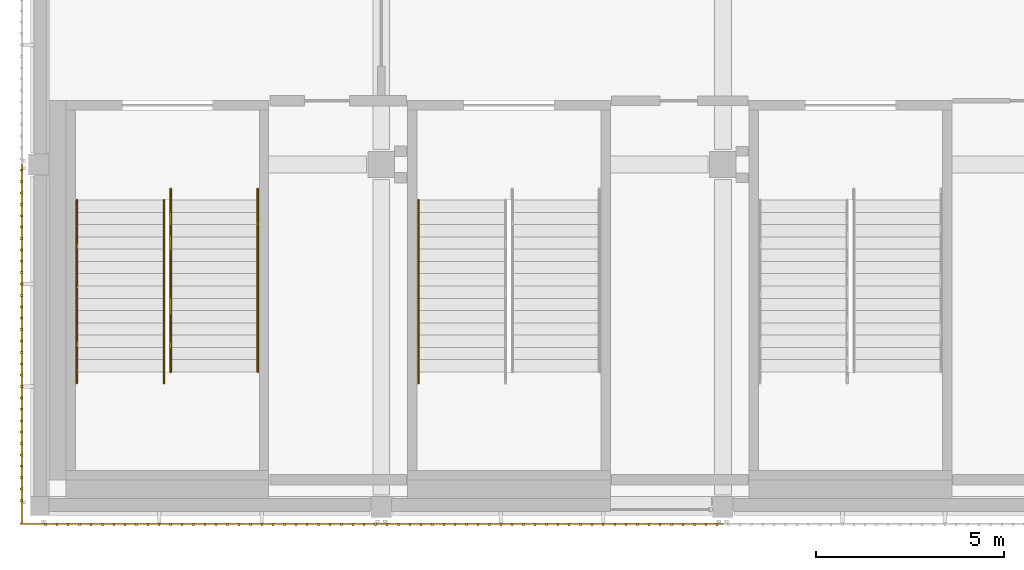
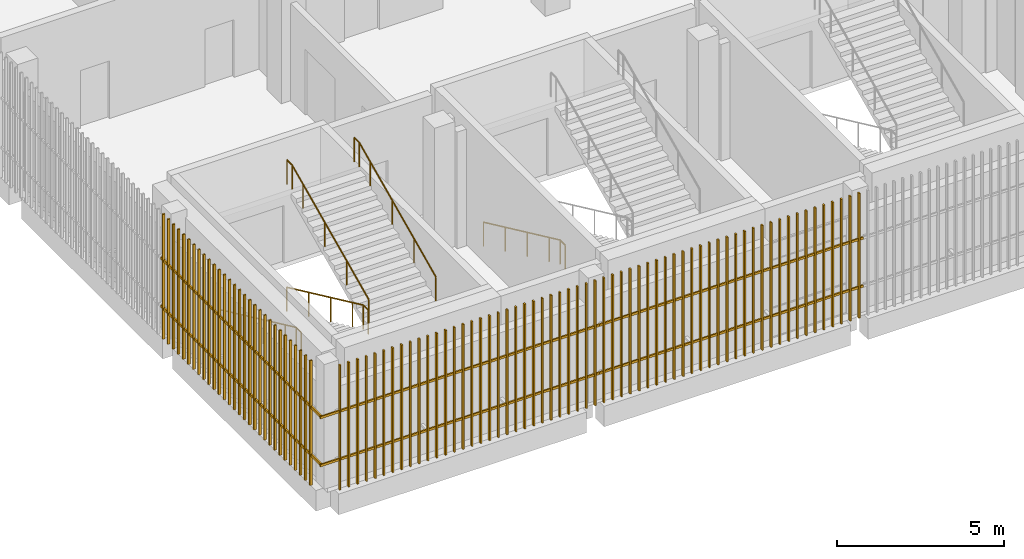
# One storey, part 107 of 126: 5 railings, 3 shading devices.
"""IFC4 building model written with IfcOpenShell, lengths in metres."""

from ifc_helpers import new_model, si_unit, direction, frame, origin, origin_2d, place, context, subcontext, project, spatial, rectangle, circle, extrude, material, type_object, element, save


model = new_model("IFC4")

# Units and contexts
model_context = context("Model", 3, precision=1e-05, world=origin(), true_north=direction((0.0, 1.0)))
body_context = subcontext(model_context, "Body", "Model", "MODEL_VIEW")
ifc_project = project(units=[si_unit("LENGTHUNIT", "METRE"), si_unit("AREAUNIT", "SQUARE_METRE"), si_unit("VOLUMEUNIT", "CUBIC_METRE"), si_unit("PLANEANGLEUNIT", "RADIAN"), si_unit("MASSUNIT", "GRAM", prefix="KILO")], contexts=[model_context])

# Site, building, storey
site_placement = place(None, origin())
site = spatial("IfcSite", under=ifc_project, at=site_placement, CompositionType="ELEMENT")
building_placement = place(site_placement, origin())
building = spatial("IfcBuilding", under=site, at=building_placement, Name="Shirokan Park Arena", CompositionType="ELEMENT")
storey_placement = place(building_placement, frame((0.0, 0.0, 6.3701171875)))
storey = spatial("IfcBuildingStorey", under=building, at=storey_placement, Name="L01", CompositionType="ELEMENT", Elevation=6.3701171875)

# Railings
ifc_material_1 = material(Name="Stainless steel", Category="steel")
railing_type = type_object("IfcRailingType", Name="Stair handrail 900", PredefinedType="HANDRAIL", material=ifc_material_1)
railing_1_placement = place(storey_placement, frame((0.989990234375, 8.14990234375, 0.151611328125)))
element("IfcRailing", 1, at=railing_1_placement, inside=storey, type_object=railing_type, Name="Handrail Exit Stair 1.A L01 to L02", PredefinedType="HANDRAIL", context=body_context, shape_type="SweptSolid", body=[
    extrude(circle(Radius=0.02392578125, at=origin_2d()), frame((0.0, 0.0, 0.8759765625), z_axis=(0.0, -0.906999720516, 0.421131222998), x_axis=(1.0, 0.0, 0.0)), (0.0, 0.0, 1.0), 1.440673828125),
    extrude(circle(Radius=0.02392578125, at=origin_2d()), frame((0.0, -1.306640625, 1.482421875), z_axis=(0.0, -0.907029769225, 0.421066500378), x_axis=(1.0, 0.0, 0.0)), (0.0, 0.0, 1.0), 1.44091796875),
    extrude(circle(Radius=0.02392578125, at=origin_2d()), frame((0.0, -2.613525390625, 2.08935546875), z_axis=(0.0, -0.907094476872, 0.420927083981), x_axis=(1.0, 0.0, 0.0)), (0.0, 0.0, 1.0), 1.440673828125),
    extrude(circle(Radius=0.02392578125, at=origin_2d()), frame((0.0, -3.92041015625, 2.69580078125), z_axis=(0.0, -0.906934982928, 0.421270621741), x_axis=(1.0, 0.0, 0.0)), (0.0, 0.0, 1.0), 0.720458984375),
    extrude(circle(Radius=0.02392578125, at=origin_2d()), frame((0.0, -4.57373046875, 2.9990234375), z_axis=(0.0, -1.0, 0.0), x_axis=(1.0, 0.0, 0.0)), (0.0, 0.0, 1.0), 0.300048828125),
    extrude(circle(Radius=0.02099609375, at=origin_2d()), origin(), (0.0, 0.0, 1.0), 0.851806640625),
    extrude(circle(Radius=0.02099609375, at=origin_2d()), frame((0.0, -1.306640625, 0.606689453125)), (0.0, 0.0, 1.0), 0.851806640625),
    extrude(circle(Radius=0.02099609375, at=origin_2d()), frame((0.0, -2.613525390625, 1.21337890625)), (0.0, 0.0, 1.0), 0.851806640625),
    extrude(circle(Radius=0.02099609375, at=origin_2d()), frame((0.0, -3.92041015625, 1.81982421875)), (0.0, 0.0, 1.0), 0.851806640625),
    extrude(circle(Radius=0.02099609375, at=origin_2d()), frame((0.0, -4.57373046875, 2.123291015625)), (0.0, 0.0, 1.0), 0.851806640625),
    extrude(circle(Radius=0.02099609375, at=origin_2d()), frame((0.0, -4.873779296875, 2.123291015625)), (0.0, 0.0, 1.0), 0.851806640625),
])
railing_2_placement = place(storey_placement, frame((3.31005859375, 8.14990234375, 0.151611328125)))
element("IfcRailing", 2, at=railing_2_placement, inside=storey, type_object=railing_type, Name="Handrail Exit Stair 1.A L01 to L02", PredefinedType="HANDRAIL", context=body_context, shape_type="SweptSolid", body=[
    extrude(circle(Radius=0.02392578125, at=origin_2d()), frame((0.0, 0.0, 0.8759765625), z_axis=(0.0, -0.906999720516, 0.421131222998), x_axis=(1.0, 0.0, 0.0)), (0.0, 0.0, 1.0), 1.440673828125),
    extrude(circle(Radius=0.02392578125, at=origin_2d()), frame((0.0, -1.306640625, 1.482421875), z_axis=(0.0, -0.907029769225, 0.421066500378), x_axis=(1.0, 0.0, 0.0)), (0.0, 0.0, 1.0), 1.44091796875),
    extrude(circle(Radius=0.02392578125, at=origin_2d()), frame((0.0, -2.613525390625, 2.08935546875), z_axis=(0.0, -0.907094476872, 0.420927083981), x_axis=(1.0, 0.0, 0.0)), (0.0, 0.0, 1.0), 1.440673828125),
    extrude(circle(Radius=0.02392578125, at=origin_2d()), frame((0.0, -3.92041015625, 2.69580078125), z_axis=(0.0, -0.906934982928, 0.421270621741), x_axis=(1.0, 0.0, 0.0)), (0.0, 0.0, 1.0), 0.720458984375),
    extrude(circle(Radius=0.02392578125, at=origin_2d()), frame((0.0, -4.57373046875, 2.9990234375), z_axis=(0.0, -1.0, 0.0), x_axis=(1.0, 0.0, 0.0)), (0.0, 0.0, 1.0), 0.300048828125),
    extrude(circle(Radius=0.02099609375, at=origin_2d()), origin(), (0.0, 0.0, 1.0), 0.851806640625),
    extrude(circle(Radius=0.02099609375, at=origin_2d()), frame((0.0, -1.306640625, 0.606689453125)), (0.0, 0.0, 1.0), 0.851806640625),
    extrude(circle(Radius=0.02099609375, at=origin_2d()), frame((0.0, -2.613525390625, 1.21337890625)), (0.0, 0.0, 1.0), 0.851806640625),
    extrude(circle(Radius=0.02099609375, at=origin_2d()), frame((0.0, -3.92041015625, 1.81982421875)), (0.0, 0.0, 1.0), 0.851806640625),
    extrude(circle(Radius=0.02099609375, at=origin_2d()), frame((0.0, -4.57373046875, 2.123291015625)), (0.0, 0.0, 1.0), 0.851806640625),
    extrude(circle(Radius=0.02099609375, at=origin_2d()), frame((0.0, -4.873779296875, 2.123291015625)), (0.0, 0.0, 1.0), 0.851806640625),
])
railing_3_placement = place(storey_placement, frame((3.489990234375, 3.576171875, 2.426513671875)))
element("IfcRailing", 3, at=railing_3_placement, inside=storey, type_object=railing_type, Name="Handrail Exit Stair 1.A L01 to L02", PredefinedType="HANDRAIL", context=body_context, shape_type="SweptSolid", body=[
    extrude(circle(Radius=0.02392578125, at=origin_2d()), frame((0.0, 0.0, 0.8759765625), z_axis=(0.0, 0.907029769225, 0.421066500378), x_axis=(-1.0, 0.0, 0.0)), (0.0, 0.0, 1.0), 1.44091796875),
    extrude(circle(Radius=0.02392578125, at=origin_2d()), frame((0.0, 1.306884765625, 1.482421875), z_axis=(0.0, 0.906999720516, 0.421131222998), x_axis=(-1.0, 0.0, 0.0)), (0.0, 0.0, 1.0), 1.440673828125),
    extrude(circle(Radius=0.02392578125, at=origin_2d()), frame((0.0, 2.613525390625, 2.08935546875), z_axis=(0.0, 0.907029769225, 0.421066500378), x_axis=(-1.0, 0.0, 0.0)), (0.0, 0.0, 1.0), 1.44091796875),
    extrude(circle(Radius=0.02392578125, at=origin_2d()), frame((0.0, 3.92041015625, 2.69580078125), z_axis=(0.0, 0.907064445915, 0.420991794405), x_axis=(-1.0, 0.0, 0.0)), (0.0, 0.0, 1.0), 0.72021484375),
    extrude(circle(Radius=0.02392578125, at=origin_2d()), frame((0.0, 4.57373046875, 2.9990234375), z_axis=(0.0, 1.0, 0.0), x_axis=(-1.0, 0.0, 0.0)), (0.0, 0.0, 1.0), 0.300048828125),
    extrude(circle(Radius=0.02099609375, at=origin_2d()), origin(), (0.0, 0.0, 1.0), 0.851806640625),
    extrude(circle(Radius=0.02099609375, at=origin_2d()), frame((0.0, 1.306884765625, 0.606689453125)), (0.0, 0.0, 1.0), 0.851806640625),
    extrude(circle(Radius=0.02099609375, at=origin_2d()), frame((0.0, 2.613525390625, 1.21337890625)), (0.0, 0.0, 1.0), 0.851806640625),
    extrude(circle(Radius=0.02099609375, at=origin_2d()), frame((0.0, 3.92041015625, 1.820068359375)), (0.0, 0.0, 1.0), 0.851806640625),
    extrude(circle(Radius=0.02099609375, at=origin_2d()), frame((0.0, 4.57373046875, 2.123291015625)), (0.0, 0.0, 1.0), 0.851806640625),
    extrude(circle(Radius=0.02099609375, at=origin_2d()), frame((0.0, 4.873779296875, 2.123291015625)), (0.0, 0.0, 1.0), 0.851806640625),
])
railing_4_placement = place(storey_placement, frame((5.81005859375, 3.576171875, 2.426513671875)))
element("IfcRailing", 4, at=railing_4_placement, inside=storey, type_object=railing_type, Name="Handrail Exit Stair 1.A L01 to L02", PredefinedType="HANDRAIL", context=body_context, shape_type="SweptSolid", body=[
    extrude(circle(Radius=0.02392578125, at=origin_2d()), frame((0.0, 0.0, 0.8759765625), z_axis=(0.0, 0.907029769225, 0.421066500378), x_axis=(-1.0, 0.0, 0.0)), (0.0, 0.0, 1.0), 1.44091796875),
    extrude(circle(Radius=0.02392578125, at=origin_2d()), frame((0.0, 1.306884765625, 1.482421875), z_axis=(0.0, 0.906999720516, 0.421131222998), x_axis=(-1.0, 0.0, 0.0)), (0.0, 0.0, 1.0), 1.440673828125),
    extrude(circle(Radius=0.02392578125, at=origin_2d()), frame((0.0, 2.613525390625, 2.08935546875), z_axis=(0.0, 0.907029769225, 0.421066500378), x_axis=(-1.0, 0.0, 0.0)), (0.0, 0.0, 1.0), 1.44091796875),
    extrude(circle(Radius=0.02392578125, at=origin_2d()), frame((0.0, 3.92041015625, 2.69580078125), z_axis=(0.0, 0.907064445915, 0.420991794405), x_axis=(-1.0, 0.0, 0.0)), (0.0, 0.0, 1.0), 0.72021484375),
    extrude(circle(Radius=0.02392578125, at=origin_2d()), frame((0.0, 4.57373046875, 2.9990234375), z_axis=(0.0, 1.0, 0.0), x_axis=(-1.0, 0.0, 0.0)), (0.0, 0.0, 1.0), 0.300048828125),
    extrude(circle(Radius=0.02099609375, at=origin_2d()), origin(), (0.0, 0.0, 1.0), 0.851806640625),
    extrude(circle(Radius=0.02099609375, at=origin_2d()), frame((0.0, 1.306884765625, 0.606689453125)), (0.0, 0.0, 1.0), 0.851806640625),
    extrude(circle(Radius=0.02099609375, at=origin_2d()), frame((0.0, 2.613525390625, 1.21337890625)), (0.0, 0.0, 1.0), 0.851806640625),
    extrude(circle(Radius=0.02099609375, at=origin_2d()), frame((0.0, 3.92041015625, 1.820068359375)), (0.0, 0.0, 1.0), 0.851806640625),
    extrude(circle(Radius=0.02099609375, at=origin_2d()), frame((0.0, 4.57373046875, 2.123291015625)), (0.0, 0.0, 1.0), 0.851806640625),
    extrude(circle(Radius=0.02099609375, at=origin_2d()), frame((0.0, 4.873779296875, 2.123291015625)), (0.0, 0.0, 1.0), 0.851806640625),
])
railing_5_placement = place(storey_placement, frame((10.090087890625, 8.14990234375, 0.151611328125)))
element("IfcRailing", 5, at=railing_5_placement, inside=storey, type_object=railing_type, Name="Handrail Exit Stair 1.B L01 to L02", PredefinedType="HANDRAIL", context=body_context, shape_type="SweptSolid", body=[
    extrude(circle(Radius=0.02392578125, at=origin_2d()), frame((0.0, 0.0, 0.8759765625), z_axis=(0.0, -0.906999720516, 0.421131222998), x_axis=(1.0, 0.0, 0.0)), (0.0, 0.0, 1.0), 1.440673828125),
    extrude(circle(Radius=0.02392578125, at=origin_2d()), frame((0.0, -1.306640625, 1.482421875), z_axis=(0.0, -0.907029769225, 0.421066500378), x_axis=(1.0, 0.0, 0.0)), (0.0, 0.0, 1.0), 1.44091796875),
    extrude(circle(Radius=0.02392578125, at=origin_2d()), frame((0.0, -2.613525390625, 2.08935546875), z_axis=(0.0, -0.907094476872, 0.420927083981), x_axis=(1.0, 0.0, 0.0)), (0.0, 0.0, 1.0), 1.440673828125),
    extrude(circle(Radius=0.02392578125, at=origin_2d()), frame((0.0, -3.92041015625, 2.69580078125), z_axis=(0.0, -0.906934982928, 0.421270621741), x_axis=(1.0, 0.0, 0.0)), (0.0, 0.0, 1.0), 0.720458984375),
    extrude(circle(Radius=0.02392578125, at=origin_2d()), frame((0.0, -4.57373046875, 2.9990234375), z_axis=(0.0, -1.0, 0.0), x_axis=(1.0, 0.0, 0.0)), (0.0, 0.0, 1.0), 0.300048828125),
    extrude(circle(Radius=0.02099609375, at=origin_2d()), origin(), (0.0, 0.0, 1.0), 0.851806640625),
    extrude(circle(Radius=0.02099609375, at=origin_2d()), frame((0.0, -1.306640625, 0.606689453125)), (0.0, 0.0, 1.0), 0.851806640625),
    extrude(circle(Radius=0.02099609375, at=origin_2d()), frame((0.0, -2.613525390625, 1.21337890625)), (0.0, 0.0, 1.0), 0.851806640625),
    extrude(circle(Radius=0.02099609375, at=origin_2d()), frame((0.0, -3.92041015625, 1.81982421875)), (0.0, 0.0, 1.0), 0.851806640625),
    extrude(circle(Radius=0.02099609375, at=origin_2d()), frame((0.0, -4.57373046875, 2.123291015625)), (0.0, 0.0, 1.0), 0.851806640625),
    extrude(circle(Radius=0.02099609375, at=origin_2d()), frame((0.0, -4.873779296875, 2.123291015625)), (0.0, 0.0, 1.0), 0.851806640625),
])

# Shading devices
ifc_material_2 = material(Name="Timber louvre veil (cedar)", Category="wood")
shading_device_type = type_object("IfcShadingDeviceType", Name="Timber louvre veil panel", PredefinedType="JALOUSIE", material=ifc_material_2)
shading_device_1_placement = place(storey_placement, origin())
element("IfcShadingDevice", 6, at=shading_device_1_placement, inside=storey, type_object=shading_device_type, Name="Timber louvre veil south bay 1 L01", PredefinedType="JALOUSIE", context=body_context, shape_type="SweptSolid", body=[
    extrude(rectangle(XDim=0.050048828125, YDim=0.080078125, at=origin_2d()), frame((0.151611328125, -0.485107421875, 0.0), z_axis=(0.0, 0.0, 1.0), x_axis=(1.0, 0.0, 0.0)), (0.0, 0.0, 1.0), 4.550048828125),
    extrude(rectangle(XDim=0.050048828125, YDim=0.080078125, at=origin_2d()), frame((0.455078125, -0.485107421875, 0.0), z_axis=(0.0, 0.0, 1.0), x_axis=(1.0, 0.0, 0.0)), (0.0, 0.0, 1.0), 4.550048828125),
    extrude(rectangle(XDim=0.050048828125, YDim=0.080078125, at=origin_2d()), frame((0.75830078125, -0.485107421875, 0.0), z_axis=(0.0, 0.0, 1.0), x_axis=(1.0, 0.0, 0.0)), (0.0, 0.0, 1.0), 4.550048828125),
    extrude(rectangle(XDim=0.050048828125, YDim=0.080078125, at=origin_2d()), frame((1.061767578125, -0.485107421875, 0.0), z_axis=(0.0, 0.0, 1.0), x_axis=(1.0, 0.0, 0.0)), (0.0, 0.0, 1.0), 4.550048828125),
    extrude(rectangle(XDim=0.050048828125, YDim=0.080078125, at=origin_2d()), frame((1.364990234375, -0.485107421875, 0.0), z_axis=(0.0, 0.0, 1.0), x_axis=(1.0, 0.0, 0.0)), (0.0, 0.0, 1.0), 4.550048828125),
    extrude(rectangle(XDim=0.050048828125, YDim=0.080078125, at=origin_2d()), frame((1.668212890625, -0.485107421875, 0.0), z_axis=(0.0, 0.0, 1.0), x_axis=(1.0, 0.0, 0.0)), (0.0, 0.0, 1.0), 4.550048828125),
    extrude(rectangle(XDim=0.050048828125, YDim=0.080078125, at=origin_2d()), frame((1.9716796875, -0.485107421875, 0.0), z_axis=(0.0, 0.0, 1.0), x_axis=(1.0, 0.0, 0.0)), (0.0, 0.0, 1.0), 4.550048828125),
    extrude(rectangle(XDim=0.050048828125, YDim=0.080078125, at=origin_2d()), frame((2.27490234375, -0.485107421875, 0.0), z_axis=(0.0, 0.0, 1.0), x_axis=(1.0, 0.0, 0.0)), (0.0, 0.0, 1.0), 4.550048828125),
    extrude(rectangle(XDim=0.050048828125, YDim=0.080078125, at=origin_2d()), frame((2.578369140625, -0.485107421875, 0.0), z_axis=(0.0, 0.0, 1.0), x_axis=(1.0, 0.0, 0.0)), (0.0, 0.0, 1.0), 4.550048828125),
    extrude(rectangle(XDim=0.050048828125, YDim=0.080078125, at=origin_2d()), frame((2.881591796875, -0.485107421875, 0.0), z_axis=(0.0, 0.0, 1.0), x_axis=(1.0, 0.0, 0.0)), (0.0, 0.0, 1.0), 4.550048828125),
    extrude(rectangle(XDim=0.050048828125, YDim=0.080078125, at=origin_2d()), frame((3.18505859375, -0.485107421875, 0.0), z_axis=(0.0, 0.0, 1.0), x_axis=(1.0, 0.0, 0.0)), (0.0, 0.0, 1.0), 4.550048828125),
    extrude(rectangle(XDim=0.050048828125, YDim=0.080078125, at=origin_2d()), frame((3.48828125, -0.485107421875, 0.0), z_axis=(0.0, 0.0, 1.0), x_axis=(1.0, 0.0, 0.0)), (0.0, 0.0, 1.0), 4.550048828125),
    extrude(rectangle(XDim=0.050048828125, YDim=0.080078125, at=origin_2d()), frame((3.791748046875, -0.485107421875, 0.0), z_axis=(0.0, 0.0, 1.0), x_axis=(1.0, 0.0, 0.0)), (0.0, 0.0, 1.0), 4.550048828125),
    extrude(rectangle(XDim=0.050048828125, YDim=0.080078125, at=origin_2d()), frame((4.094970703125, -0.485107421875, 0.0), z_axis=(0.0, 0.0, 1.0), x_axis=(1.0, 0.0, 0.0)), (0.0, 0.0, 1.0), 4.550048828125),
    extrude(rectangle(XDim=0.050048828125, YDim=0.080078125, at=origin_2d()), frame((4.3984375, -0.485107421875, 0.0), z_axis=(0.0, 0.0, 1.0), x_axis=(1.0, 0.0, 0.0)), (0.0, 0.0, 1.0), 4.550048828125),
    extrude(rectangle(XDim=0.050048828125, YDim=0.080078125, at=origin_2d()), frame((4.70166015625, -0.485107421875, 0.0), z_axis=(0.0, 0.0, 1.0), x_axis=(1.0, 0.0, 0.0)), (0.0, 0.0, 1.0), 4.550048828125),
    extrude(rectangle(XDim=0.050048828125, YDim=0.080078125, at=origin_2d()), frame((5.0048828125, -0.485107421875, 0.0), z_axis=(0.0, 0.0, 1.0), x_axis=(1.0, 0.0, 0.0)), (0.0, 0.0, 1.0), 4.550048828125),
    extrude(rectangle(XDim=0.050048828125, YDim=0.080078125, at=origin_2d()), frame((5.308349609375, -0.485107421875, 0.0), z_axis=(0.0, 0.0, 1.0), x_axis=(1.0, 0.0, 0.0)), (0.0, 0.0, 1.0), 4.550048828125),
    extrude(rectangle(XDim=0.050048828125, YDim=0.080078125, at=origin_2d()), frame((5.611572265625, -0.485107421875, 0.0), z_axis=(0.0, 0.0, 1.0), x_axis=(1.0, 0.0, 0.0)), (0.0, 0.0, 1.0), 4.550048828125),
    extrude(rectangle(XDim=0.050048828125, YDim=0.080078125, at=origin_2d()), frame((5.9150390625, -0.485107421875, 0.0), z_axis=(0.0, 0.0, 1.0), x_axis=(1.0, 0.0, 0.0)), (0.0, 0.0, 1.0), 4.550048828125),
    extrude(rectangle(XDim=0.050048828125, YDim=0.080078125, at=origin_2d()), frame((6.21826171875, -0.485107421875, 0.0), z_axis=(0.0, 0.0, 1.0), x_axis=(1.0, 0.0, 0.0)), (0.0, 0.0, 1.0), 4.550048828125),
    extrude(rectangle(XDim=0.050048828125, YDim=0.080078125, at=origin_2d()), frame((6.521728515625, -0.485107421875, 0.0), z_axis=(0.0, 0.0, 1.0), x_axis=(1.0, 0.0, 0.0)), (0.0, 0.0, 1.0), 4.550048828125),
    extrude(rectangle(XDim=0.050048828125, YDim=0.080078125, at=origin_2d()), frame((6.824951171875, -0.485107421875, 0.0), z_axis=(0.0, 0.0, 1.0), x_axis=(1.0, 0.0, 0.0)), (0.0, 0.0, 1.0), 4.550048828125),
    extrude(rectangle(XDim=0.050048828125, YDim=0.080078125, at=origin_2d()), frame((7.12841796875, -0.485107421875, 0.0), z_axis=(0.0, 0.0, 1.0), x_axis=(1.0, 0.0, 0.0)), (0.0, 0.0, 1.0), 4.550048828125),
    extrude(rectangle(XDim=0.050048828125, YDim=0.080078125, at=origin_2d()), frame((7.431640625, -0.485107421875, 0.0), z_axis=(0.0, 0.0, 1.0), x_axis=(1.0, 0.0, 0.0)), (0.0, 0.0, 1.0), 4.550048828125),
    extrude(rectangle(XDim=0.050048828125, YDim=0.080078125, at=origin_2d()), frame((7.735107421875, -0.485107421875, 0.0), z_axis=(0.0, 0.0, 1.0), x_axis=(1.0, 0.0, 0.0)), (0.0, 0.0, 1.0), 4.550048828125),
    extrude(rectangle(XDim=0.050048828125, YDim=0.080078125, at=origin_2d()), frame((8.038330078125, -0.485107421875, 0.0), z_axis=(0.0, 0.0, 1.0), x_axis=(1.0, 0.0, 0.0)), (0.0, 0.0, 1.0), 4.550048828125),
    extrude(rectangle(XDim=0.050048828125, YDim=0.080078125, at=origin_2d()), frame((8.341552734375, -0.485107421875, 0.0), z_axis=(0.0, 0.0, 1.0), x_axis=(1.0, 0.0, 0.0)), (0.0, 0.0, 1.0), 4.550048828125),
    extrude(rectangle(XDim=0.050048828125, YDim=0.080078125, at=origin_2d()), frame((8.64501953125, -0.485107421875, 0.0), z_axis=(0.0, 0.0, 1.0), x_axis=(1.0, 0.0, 0.0)), (0.0, 0.0, 1.0), 4.550048828125),
    extrude(rectangle(XDim=0.050048828125, YDim=0.080078125, at=origin_2d()), frame((8.9482421875, -0.485107421875, 0.0), z_axis=(0.0, 0.0, 1.0), x_axis=(1.0, 0.0, 0.0)), (0.0, 0.0, 1.0), 4.550048828125),
    extrude(rectangle(XDim=9.625, YDim=0.050048828125, at=origin_2d()), frame((4.28759765625, -0.469970703125, 1.059814453125), z_axis=(0.0, 0.0, 1.0), x_axis=(1.0, 0.0, 0.0)), (0.0, 0.0, 1.0), 0.080078125),
    extrude(rectangle(XDim=9.625, YDim=0.050048828125, at=origin_2d()), frame((4.28759765625, -0.469970703125, 2.809814453125), z_axis=(0.0, 0.0, 1.0), x_axis=(1.0, 0.0, 0.0)), (0.0, 0.0, 1.0), 0.080078125),
])
shading_device_2_placement = place(storey_placement, origin())
element("IfcShadingDevice", 7, at=shading_device_2_placement, inside=storey, type_object=shading_device_type, Name="Timber louvre veil south bay 2 L01", PredefinedType="JALOUSIE", context=body_context, shape_type="SweptSolid", body=[
    extrude(rectangle(XDim=0.050048828125, YDim=0.080078125, at=origin_2d()), frame((9.251708984375, -0.485107421875, 0.0), z_axis=(0.0, 0.0, 1.0), x_axis=(1.0, 0.0, 0.0)), (0.0, 0.0, 1.0), 4.550048828125),
    extrude(rectangle(XDim=0.050048828125, YDim=0.080078125, at=origin_2d()), frame((9.554931640625, -0.485107421875, 0.0), z_axis=(0.0, 0.0, 1.0), x_axis=(1.0, 0.0, 0.0)), (0.0, 0.0, 1.0), 4.550048828125),
    extrude(rectangle(XDim=0.050048828125, YDim=0.080078125, at=origin_2d()), frame((9.8583984375, -0.485107421875, 0.0), z_axis=(0.0, 0.0, 1.0), x_axis=(1.0, 0.0, 0.0)), (0.0, 0.0, 1.0), 4.550048828125),
    extrude(rectangle(XDim=0.050048828125, YDim=0.080078125, at=origin_2d()), frame((10.16162109375, -0.485107421875, 0.0), z_axis=(0.0, 0.0, 1.0), x_axis=(1.0, 0.0, 0.0)), (0.0, 0.0, 1.0), 4.550048828125),
    extrude(rectangle(XDim=0.050048828125, YDim=0.080078125, at=origin_2d()), frame((10.465087890625, -0.485107421875, 0.0), z_axis=(0.0, 0.0, 1.0), x_axis=(1.0, 0.0, 0.0)), (0.0, 0.0, 1.0), 4.550048828125),
    extrude(rectangle(XDim=0.050048828125, YDim=0.080078125, at=origin_2d()), frame((10.768310546875, -0.485107421875, 0.0), z_axis=(0.0, 0.0, 1.0), x_axis=(1.0, 0.0, 0.0)), (0.0, 0.0, 1.0), 4.550048828125),
    extrude(rectangle(XDim=0.050048828125, YDim=0.080078125, at=origin_2d()), frame((11.07177734375, -0.485107421875, 0.0), z_axis=(0.0, 0.0, 1.0), x_axis=(1.0, 0.0, 0.0)), (0.0, 0.0, 1.0), 4.550048828125),
    extrude(rectangle(XDim=0.050048828125, YDim=0.080078125, at=origin_2d()), frame((11.375, -0.485107421875, 0.0), z_axis=(0.0, 0.0, 1.0), x_axis=(1.0, 0.0, 0.0)), (0.0, 0.0, 1.0), 4.550048828125),
    extrude(rectangle(XDim=0.050048828125, YDim=0.080078125, at=origin_2d()), frame((11.67822265625, -0.485107421875, 0.0), z_axis=(0.0, 0.0, 1.0), x_axis=(1.0, 0.0, 0.0)), (0.0, 0.0, 1.0), 4.550048828125),
    extrude(rectangle(XDim=0.050048828125, YDim=0.080078125, at=origin_2d()), frame((11.981689453125, -0.485107421875, 0.0), z_axis=(0.0, 0.0, 1.0), x_axis=(1.0, 0.0, 0.0)), (0.0, 0.0, 1.0), 4.550048828125),
    extrude(rectangle(XDim=0.050048828125, YDim=0.080078125, at=origin_2d()), frame((12.284912109375, -0.485107421875, 0.0), z_axis=(0.0, 0.0, 1.0), x_axis=(1.0, 0.0, 0.0)), (0.0, 0.0, 1.0), 4.550048828125),
    extrude(rectangle(XDim=0.050048828125, YDim=0.080078125, at=origin_2d()), frame((12.58837890625, -0.485107421875, 0.0), z_axis=(0.0, 0.0, 1.0), x_axis=(1.0, 0.0, 0.0)), (0.0, 0.0, 1.0), 4.550048828125),
    extrude(rectangle(XDim=0.050048828125, YDim=0.080078125, at=origin_2d()), frame((12.8916015625, -0.485107421875, 0.0), z_axis=(0.0, 0.0, 1.0), x_axis=(1.0, 0.0, 0.0)), (0.0, 0.0, 1.0), 4.550048828125),
    extrude(rectangle(XDim=0.050048828125, YDim=0.080078125, at=origin_2d()), frame((13.195068359375, -0.485107421875, 0.0), z_axis=(0.0, 0.0, 1.0), x_axis=(1.0, 0.0, 0.0)), (0.0, 0.0, 1.0), 4.550048828125),
    extrude(rectangle(XDim=0.050048828125, YDim=0.080078125, at=origin_2d()), frame((13.498291015625, -0.485107421875, 0.0), z_axis=(0.0, 0.0, 1.0), x_axis=(1.0, 0.0, 0.0)), (0.0, 0.0, 1.0), 4.550048828125),
    extrude(rectangle(XDim=0.050048828125, YDim=0.080078125, at=origin_2d()), frame((13.8017578125, -0.485107421875, 0.0), z_axis=(0.0, 0.0, 1.0), x_axis=(1.0, 0.0, 0.0)), (0.0, 0.0, 1.0), 4.550048828125),
    extrude(rectangle(XDim=0.050048828125, YDim=0.080078125, at=origin_2d()), frame((14.10498046875, -0.485107421875, 0.0), z_axis=(0.0, 0.0, 1.0), x_axis=(1.0, 0.0, 0.0)), (0.0, 0.0, 1.0), 4.550048828125),
    extrude(rectangle(XDim=0.050048828125, YDim=0.080078125, at=origin_2d()), frame((14.408447265625, -0.485107421875, 0.0), z_axis=(0.0, 0.0, 1.0), x_axis=(1.0, 0.0, 0.0)), (0.0, 0.0, 1.0), 4.550048828125),
    extrude(rectangle(XDim=0.050048828125, YDim=0.080078125, at=origin_2d()), frame((14.711669921875, -0.485107421875, 0.0), z_axis=(0.0, 0.0, 1.0), x_axis=(1.0, 0.0, 0.0)), (0.0, 0.0, 1.0), 4.550048828125),
    extrude(rectangle(XDim=0.050048828125, YDim=0.080078125, at=origin_2d()), frame((15.014892578125, -0.485107421875, 0.0), z_axis=(0.0, 0.0, 1.0), x_axis=(1.0, 0.0, 0.0)), (0.0, 0.0, 1.0), 4.550048828125),
    extrude(rectangle(XDim=0.050048828125, YDim=0.080078125, at=origin_2d()), frame((15.318359375, -0.485107421875, 0.0), z_axis=(0.0, 0.0, 1.0), x_axis=(1.0, 0.0, 0.0)), (0.0, 0.0, 1.0), 4.550048828125),
    extrude(rectangle(XDim=0.050048828125, YDim=0.080078125, at=origin_2d()), frame((15.62158203125, -0.485107421875, 0.0), z_axis=(0.0, 0.0, 1.0), x_axis=(1.0, 0.0, 0.0)), (0.0, 0.0, 1.0), 4.550048828125),
    extrude(rectangle(XDim=0.050048828125, YDim=0.080078125, at=origin_2d()), frame((15.925048828125, -0.485107421875, 0.0), z_axis=(0.0, 0.0, 1.0), x_axis=(1.0, 0.0, 0.0)), (0.0, 0.0, 1.0), 4.550048828125),
    extrude(rectangle(XDim=0.050048828125, YDim=0.080078125, at=origin_2d()), frame((16.228271484375, -0.485107421875, 0.0), z_axis=(0.0, 0.0, 1.0), x_axis=(1.0, 0.0, 0.0)), (0.0, 0.0, 1.0), 4.550048828125),
    extrude(rectangle(XDim=0.050048828125, YDim=0.080078125, at=origin_2d()), frame((16.53173828125, -0.485107421875, 0.0), z_axis=(0.0, 0.0, 1.0), x_axis=(1.0, 0.0, 0.0)), (0.0, 0.0, 1.0), 4.550048828125),
    extrude(rectangle(XDim=0.050048828125, YDim=0.080078125, at=origin_2d()), frame((16.8349609375, -0.485107421875, 0.0), z_axis=(0.0, 0.0, 1.0), x_axis=(1.0, 0.0, 0.0)), (0.0, 0.0, 1.0), 4.550048828125),
    extrude(rectangle(XDim=0.050048828125, YDim=0.080078125, at=origin_2d()), frame((17.138427734375, -0.485107421875, 0.0), z_axis=(0.0, 0.0, 1.0), x_axis=(1.0, 0.0, 0.0)), (0.0, 0.0, 1.0), 4.550048828125),
    extrude(rectangle(XDim=0.050048828125, YDim=0.080078125, at=origin_2d()), frame((17.441650390625, -0.485107421875, 0.0), z_axis=(0.0, 0.0, 1.0), x_axis=(1.0, 0.0, 0.0)), (0.0, 0.0, 1.0), 4.550048828125),
    extrude(rectangle(XDim=0.050048828125, YDim=0.080078125, at=origin_2d()), frame((17.7451171875, -0.485107421875, 0.0), z_axis=(0.0, 0.0, 1.0), x_axis=(1.0, 0.0, 0.0)), (0.0, 0.0, 1.0), 4.550048828125),
    extrude(rectangle(XDim=0.050048828125, YDim=0.080078125, at=origin_2d()), frame((18.04833984375, -0.485107421875, 0.0), z_axis=(0.0, 0.0, 1.0), x_axis=(1.0, 0.0, 0.0)), (0.0, 0.0, 1.0), 4.550048828125),
    extrude(rectangle(XDim=9.10009765625, YDim=0.050048828125, at=origin_2d()), frame((13.64990234375, -0.469970703125, 1.059814453125), z_axis=(0.0, 0.0, 1.0), x_axis=(1.0, 0.0, 0.0)), (0.0, 0.0, 1.0), 0.080078125),
    extrude(rectangle(XDim=9.10009765625, YDim=0.050048828125, at=origin_2d()), frame((13.64990234375, -0.469970703125, 2.809814453125), z_axis=(0.0, 0.0, 1.0), x_axis=(1.0, 0.0, 0.0)), (0.0, 0.0, 1.0), 0.080078125),
])
shading_device_3_placement = place(storey_placement, origin())
element("IfcShadingDevice", 8, at=shading_device_3_placement, inside=storey, type_object=shading_device_type, Name="Timber louvre veil west bay 12 L01", PredefinedType="JALOUSIE", context=body_context, shape_type="SweptSolid", body=[
    extrude(rectangle(XDim=0.050048828125, YDim=0.080078125, at=origin_2d()), frame((-0.485107421875, 8.9482421875, 0.0), z_axis=(0.0, 0.0, 1.0), x_axis=(0.0, -1.0, 0.0)), (0.0, 0.0, 1.0), 4.550048828125),
    extrude(rectangle(XDim=0.050048828125, YDim=0.080078125, at=origin_2d()), frame((-0.485107421875, 8.64501953125, 0.0), z_axis=(0.0, 0.0, 1.0), x_axis=(0.0, -1.0, 0.0)), (0.0, 0.0, 1.0), 4.550048828125),
    extrude(rectangle(XDim=0.050048828125, YDim=0.080078125, at=origin_2d()), frame((-0.485107421875, 8.341552734375, 0.0), z_axis=(0.0, 0.0, 1.0), x_axis=(0.0, -1.0, 0.0)), (0.0, 0.0, 1.0), 4.550048828125),
    extrude(rectangle(XDim=0.050048828125, YDim=0.080078125, at=origin_2d()), frame((-0.485107421875, 8.038330078125, 0.0), z_axis=(0.0, 0.0, 1.0), x_axis=(0.0, -1.0, 0.0)), (0.0, 0.0, 1.0), 4.550048828125),
    extrude(rectangle(XDim=0.050048828125, YDim=0.080078125, at=origin_2d()), frame((-0.485107421875, 7.735107421875, 0.0), z_axis=(0.0, 0.0, 1.0), x_axis=(0.0, -1.0, 0.0)), (0.0, 0.0, 1.0), 4.550048828125),
    extrude(rectangle(XDim=0.050048828125, YDim=0.080078125, at=origin_2d()), frame((-0.485107421875, 7.431640625, 0.0), z_axis=(0.0, 0.0, 1.0), x_axis=(0.0, -1.0, 0.0)), (0.0, 0.0, 1.0), 4.550048828125),
    extrude(rectangle(XDim=0.050048828125, YDim=0.080078125, at=origin_2d()), frame((-0.485107421875, 7.12841796875, 0.0), z_axis=(0.0, 0.0, 1.0), x_axis=(0.0, -1.0, 0.0)), (0.0, 0.0, 1.0), 4.550048828125),
    extrude(rectangle(XDim=0.050048828125, YDim=0.080078125, at=origin_2d()), frame((-0.485107421875, 6.824951171875, 0.0), z_axis=(0.0, 0.0, 1.0), x_axis=(0.0, -1.0, 0.0)), (0.0, 0.0, 1.0), 4.550048828125),
    extrude(rectangle(XDim=0.050048828125, YDim=0.080078125, at=origin_2d()), frame((-0.485107421875, 6.521728515625, 0.0), z_axis=(0.0, 0.0, 1.0), x_axis=(0.0, -1.0, 0.0)), (0.0, 0.0, 1.0), 4.550048828125),
    extrude(rectangle(XDim=0.050048828125, YDim=0.080078125, at=origin_2d()), frame((-0.485107421875, 6.21826171875, 0.0), z_axis=(0.0, 0.0, 1.0), x_axis=(0.0, -1.0, 0.0)), (0.0, 0.0, 1.0), 4.550048828125),
    extrude(rectangle(XDim=0.050048828125, YDim=0.080078125, at=origin_2d()), frame((-0.485107421875, 5.9150390625, 0.0), z_axis=(0.0, 0.0, 1.0), x_axis=(0.0, -1.0, 0.0)), (0.0, 0.0, 1.0), 4.550048828125),
    extrude(rectangle(XDim=0.050048828125, YDim=0.080078125, at=origin_2d()), frame((-0.485107421875, 5.611572265625, 0.0), z_axis=(0.0, 0.0, 1.0), x_axis=(0.0, -1.0, 0.0)), (0.0, 0.0, 1.0), 4.550048828125),
    extrude(rectangle(XDim=0.050048828125, YDim=0.080078125, at=origin_2d()), frame((-0.485107421875, 5.308349609375, 0.0), z_axis=(0.0, 0.0, 1.0), x_axis=(0.0, -1.0, 0.0)), (0.0, 0.0, 1.0), 4.550048828125),
    extrude(rectangle(XDim=0.050048828125, YDim=0.080078125, at=origin_2d()), frame((-0.485107421875, 5.0048828125, 0.0), z_axis=(0.0, 0.0, 1.0), x_axis=(0.0, -1.0, 0.0)), (0.0, 0.0, 1.0), 4.550048828125),
    extrude(rectangle(XDim=0.050048828125, YDim=0.080078125, at=origin_2d()), frame((-0.485107421875, 4.70166015625, 0.0), z_axis=(0.0, 0.0, 1.0), x_axis=(0.0, -1.0, 0.0)), (0.0, 0.0, 1.0), 4.550048828125),
    extrude(rectangle(XDim=0.050048828125, YDim=0.080078125, at=origin_2d()), frame((-0.485107421875, 4.3984375, 0.0), z_axis=(0.0, 0.0, 1.0), x_axis=(0.0, -1.0, 0.0)), (0.0, 0.0, 1.0), 4.550048828125),
    extrude(rectangle(XDim=0.050048828125, YDim=0.080078125, at=origin_2d()), frame((-0.485107421875, 4.094970703125, 0.0), z_axis=(0.0, 0.0, 1.0), x_axis=(0.0, -1.0, 0.0)), (0.0, 0.0, 1.0), 4.550048828125),
    extrude(rectangle(XDim=0.050048828125, YDim=0.080078125, at=origin_2d()), frame((-0.485107421875, 3.791748046875, 0.0), z_axis=(0.0, 0.0, 1.0), x_axis=(0.0, -1.0, 0.0)), (0.0, 0.0, 1.0), 4.550048828125),
    extrude(rectangle(XDim=0.050048828125, YDim=0.080078125, at=origin_2d()), frame((-0.485107421875, 3.48828125, 0.0), z_axis=(0.0, 0.0, 1.0), x_axis=(0.0, -1.0, 0.0)), (0.0, 0.0, 1.0), 4.550048828125),
    extrude(rectangle(XDim=0.050048828125, YDim=0.080078125, at=origin_2d()), frame((-0.485107421875, 3.18505859375, 0.0), z_axis=(0.0, 0.0, 1.0), x_axis=(0.0, -1.0, 0.0)), (0.0, 0.0, 1.0), 4.550048828125),
    extrude(rectangle(XDim=0.050048828125, YDim=0.080078125, at=origin_2d()), frame((-0.485107421875, 2.881591796875, 0.0), z_axis=(0.0, 0.0, 1.0), x_axis=(0.0, -1.0, 0.0)), (0.0, 0.0, 1.0), 4.550048828125),
    extrude(rectangle(XDim=0.050048828125, YDim=0.080078125, at=origin_2d()), frame((-0.485107421875, 2.578369140625, 0.0), z_axis=(0.0, 0.0, 1.0), x_axis=(0.0, -1.0, 0.0)), (0.0, 0.0, 1.0), 4.550048828125),
    extrude(rectangle(XDim=0.050048828125, YDim=0.080078125, at=origin_2d()), frame((-0.485107421875, 2.27490234375, 0.0), z_axis=(0.0, 0.0, 1.0), x_axis=(0.0, -1.0, 0.0)), (0.0, 0.0, 1.0), 4.550048828125),
    extrude(rectangle(XDim=0.050048828125, YDim=0.080078125, at=origin_2d()), frame((-0.485107421875, 1.9716796875, 0.0), z_axis=(0.0, 0.0, 1.0), x_axis=(0.0, -1.0, 0.0)), (0.0, 0.0, 1.0), 4.550048828125),
    extrude(rectangle(XDim=0.050048828125, YDim=0.080078125, at=origin_2d()), frame((-0.485107421875, 1.668212890625, 0.0), z_axis=(0.0, 0.0, 1.0), x_axis=(0.0, -1.0, 0.0)), (0.0, 0.0, 1.0), 4.550048828125),
    extrude(rectangle(XDim=0.050048828125, YDim=0.080078125, at=origin_2d()), frame((-0.485107421875, 1.364990234375, 0.0), z_axis=(0.0, 0.0, 1.0), x_axis=(0.0, -1.0, 0.0)), (0.0, 0.0, 1.0), 4.550048828125),
    extrude(rectangle(XDim=0.050048828125, YDim=0.080078125, at=origin_2d()), frame((-0.485107421875, 1.061767578125, 0.0), z_axis=(0.0, 0.0, 1.0), x_axis=(0.0, -1.0, 0.0)), (0.0, 0.0, 1.0), 4.550048828125),
    extrude(rectangle(XDim=0.050048828125, YDim=0.080078125, at=origin_2d()), frame((-0.485107421875, 0.75830078125, 0.0), z_axis=(0.0, 0.0, 1.0), x_axis=(0.0, -1.0, 0.0)), (0.0, 0.0, 1.0), 4.550048828125),
    extrude(rectangle(XDim=0.050048828125, YDim=0.080078125, at=origin_2d()), frame((-0.485107421875, 0.455078125, 0.0), z_axis=(0.0, 0.0, 1.0), x_axis=(0.0, -1.0, 0.0)), (0.0, 0.0, 1.0), 4.550048828125),
    extrude(rectangle(XDim=0.050048828125, YDim=0.080078125, at=origin_2d()), frame((-0.485107421875, 0.151611328125, 0.0), z_axis=(0.0, 0.0, 1.0), x_axis=(0.0, -1.0, 0.0)), (0.0, 0.0, 1.0), 4.550048828125),
    extrude(rectangle(XDim=9.544921875, YDim=0.050048828125, at=origin_2d()), frame((-0.469970703125, 4.327392578125, 1.059814453125), z_axis=(0.0, 0.0, 1.0), x_axis=(0.0, -1.0, 0.0)), (0.0, 0.0, 1.0), 0.080078125),
    extrude(rectangle(XDim=9.544921875, YDim=0.050048828125, at=origin_2d()), frame((-0.469970703125, 4.327392578125, 2.809814453125), z_axis=(0.0, 0.0, 1.0), x_axis=(0.0, -1.0, 0.0)), (0.0, 0.0, 1.0), 0.080078125),
])

save(model, "model.ifc")
